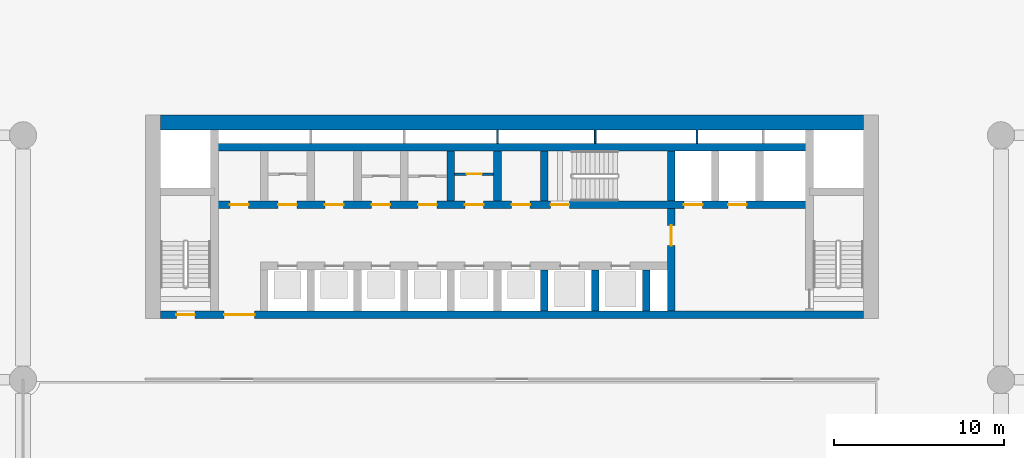
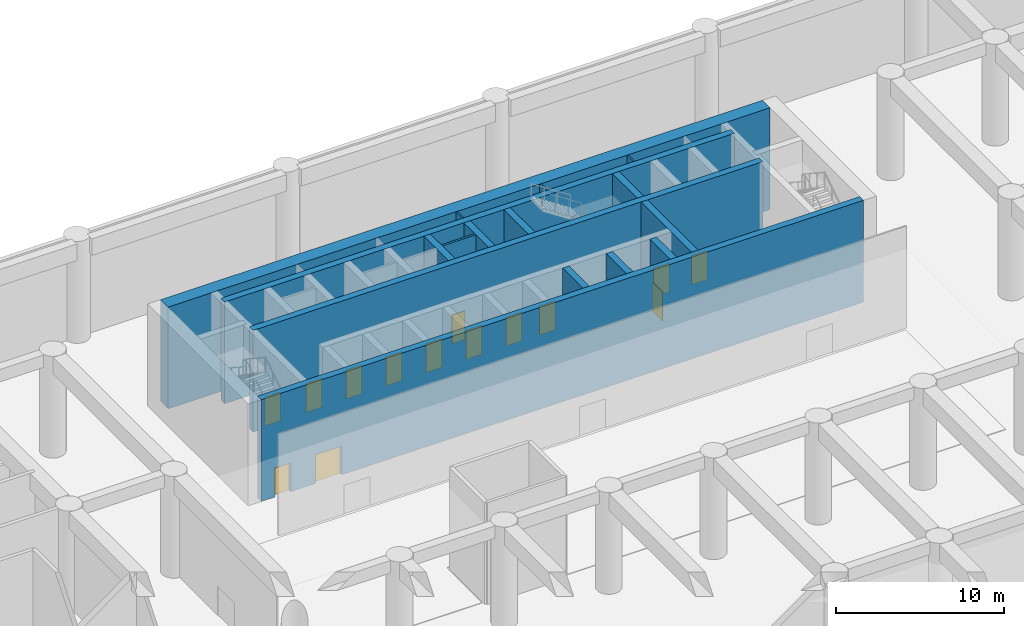
# One storey, part 18 of 32: 16 walls, 14 doors, 14 openings.
"""IFC4 building model written with IfcOpenShell, lengths in metres."""

from ifc_helpers import new_model, si_unit, direction, frame, frame_2d, origin, place, context, subcontext, project, spatial, rectangle, extrude, material, layer, layer_set, type_object, element, fill, save


model = new_model("IFC4")

# Units and contexts
model_context = context("Model", 3, precision=1e-05, world=origin(), true_north=direction((0.0, 1.0)))
body_context = subcontext(model_context, "Body", "Model", "MODEL_VIEW")
ifc_project = project(units=[si_unit("LENGTHUNIT", "METRE"), si_unit("AREAUNIT", "SQUARE_METRE"), si_unit("VOLUMEUNIT", "CUBIC_METRE"), si_unit("PLANEANGLEUNIT", "RADIAN"), si_unit("MASSUNIT", "GRAM", prefix="KILO")], contexts=[model_context])

# Site, building, storey
site_placement = place(None, origin())
site = spatial("IfcSite", under=ifc_project, at=site_placement, CompositionType="ELEMENT")
building_placement = place(site_placement, origin())
building = spatial("IfcBuilding", under=site, at=building_placement, Name="Saffron Iwan Residences", CompositionType="ELEMENT")
storey_placement = place(building_placement, origin())
storey = spatial("IfcBuildingStorey", under=building, at=storey_placement, Name="L00", CompositionType="ELEMENT", Elevation=0.0)

# Wall, opening, door
ifc_material_1 = material(Name="Fire-rated plasterboard partition")
ifc_layer_1 = layer(ifc_material_1, 0.14990234375)
ifc_layer_set_1 = layer_set([ifc_layer_1], Name="Fire-rated plasterboard partition")
wall_type_1 = type_object("IfcWallType", Name="Core partition 150", PredefinedType="PARTITIONING", material=ifc_layer_set_1)
wall_1_placement = place(storey_placement, frame((47.02490234375, 74.51806640625, 0.0), z_axis=(0.0, 0.0, 1.0), x_axis=(1.0, 0.0, 0.0)))
wall_1 = element("IfcWall", 1, at=wall_1_placement, inside=storey, type_object=wall_type_1, Name="Core partition P05", PredefinedType="PARTITIONING", context=body_context, shape_type="SweptSolid", body=[
    extrude(rectangle(XDim=2.300048828125, YDim=0.14990234375, at=frame_2d((1.14990234375, 0.0))), origin(), (0.0, 0.0, 1.0), 7.39990234375),
])
opening_1_placement = place(wall_1_placement, frame((0.699951171875, 0.0, 0.0)))
opening_1 = element("IfcOpeningElement", 2, at=opening_1_placement, cuts=wall_1, Name="Opening SB", PredefinedType="OPENING", context=body_context, shape_type="SweptSolid", body=[
    extrude(rectangle(XDim=0.89990234375, YDim=2.10009765625, at=frame_2d((0.449951171875, 1.050048828125))), frame((0.0, 0.0849609375, 0.0), z_axis=(0.0, -1.0, 0.0), x_axis=(1.0, 0.0, 0.0)), (0.0, 0.0, 1.0), 0.169921875),
])
ifc_material_2 = material(Name="Steel fire door", Category="steel")
door_type_1 = type_object("IfcDoorType", Name="Store door 900", OperationType="NOTDEFINED", PredefinedType="DOOR", material=ifc_material_2)
door_1_placement = place(opening_1_placement, origin())
door_1 = element("IfcDoor", 3, at=door_1_placement, inside=storey, type_object=door_type_1, Name="Door Equipment store", OperationType="SINGLE_SWING_RIGHT", OverallHeight=2.10009765625, OverallWidth=0.89990234375, PredefinedType="DOOR", context=body_context, shape_type="SweptSolid", body=[
    extrude(rectangle(XDim=0.89990234375, YDim=2.10009765625, at=frame_2d((0.449951171875, 1.050048828125))), frame((0.0, 0.02490234375, 0.0), z_axis=(0.0, -1.0, 0.0), x_axis=(1.0, 0.0, 0.0)), (0.0, 0.0, 1.0), 0.050048828125),
])
fill(opening_1, door_1)

# Walls
ifc_layer_2 = layer(ifc_material_1, 0.10009765625)
ifc_layer_set_2 = layer_set([ifc_layer_2], Name="Fire-rated plasterboard partition")
wall_type_2 = type_object("IfcWallType", Name="Riser partition 100", PredefinedType="PARTITIONING", material=ifc_layer_set_2)
for number, where, z_axis, x_axis, name in (
    (4, (49.550048828125, 76.324951171875, 0.0), (0.0, 0.0, 1.0), (0.0, 1.0, 0.0), "Core partition P08"),
    (5, (55.300048828125, 76.324951171875, 0.0), (0.0, 0.0, 1.0), (0.0, 1.0, 0.0), "Core partition P09"),
    (6, (61.300048828125, 76.324951171875, 0.0), (0.0, 0.0, 1.0), (0.0, 1.0, 0.0), "Core partition P10"),
):
    element("IfcWall", number, at=place(storey_placement, frame(where, z_axis=z_axis, x_axis=x_axis)), inside=storey, type_object=wall_type_2, Name=name, PredefinedType="PARTITIONING", context=body_context, shape_type="SweptSolid", body=[
        extrude(rectangle(XDim=0.775146484375, YDim=0.10009765625, at=frame_2d((0.3876953125, 0.0))), origin(), (0.0, 0.0, 1.0), 7.39990234375),
    ])

# Wall, openings, doors
ifc_material_3 = material(Name="Concrete C60/75", Category="concrete")
ifc_layer_3 = layer(ifc_material_3, 0.449951171875)
ifc_layer_set_3 = layer_set([ifc_layer_3], Name="Concrete C60/75")
wall_type_3 = type_object("IfcWallType", Name="WALL CORE 450 C60/75 7400 HIGH", PredefinedType="SHEAR", material=ifc_layer_set_3)
wall_2_placement = place(storey_placement, frame((29.699951171875, 66.22509765625, 0.0), z_axis=(0.0, 0.0, 1.0), x_axis=(1.0, 0.0, 0.0)))
wall_2 = element("IfcWall", 7, at=wall_2_placement, inside=storey, type_object=wall_type_3, Name="Core wall", PredefinedType="SHEAR", context=body_context, shape_type="SweptSolid", body=[
    extrude(rectangle(XDim=41.400146484375, YDim=0.449951171875, at=frame_2d((20.7001953125, 0.0))), origin(), (0.0, 0.0, 1.0), 7.39990234375),
])
opening_2_placement = place(wall_2_placement, frame((0.925048828125, 0.0, 0.0)))
opening_2 = element("IfcOpeningElement", 8, at=opening_2_placement, cuts=wall_2, Name="Opening SD", PredefinedType="OPENING", context=body_context, shape_type="SweptSolid", body=[
    extrude(rectangle(XDim=1.10009765625, YDim=2.10009765625, at=frame_2d((0.550048828125, 1.050048828125))), frame((0.0, 0.23486328125, 0.0), z_axis=(0.0, -1.0, 0.0), x_axis=(1.0, 0.0, 0.0)), (0.0, 0.0, 1.0), 0.469970703125),
])
opening_3_placement = place(wall_2_placement, frame((3.737548828125, 0.0, 0.0)))
opening_3 = element("IfcOpeningElement", 9, at=opening_3_placement, cuts=wall_2, Name="Opening DD", PredefinedType="OPENING", context=body_context, shape_type="SweptSolid", body=[
    extrude(rectangle(XDim=1.800048828125, YDim=2.10009765625, at=frame_2d((0.89990234375, 1.050048828125))), frame((0.0, 0.23486328125, 0.0), z_axis=(0.0, -1.0, 0.0), x_axis=(1.0, 0.0, 0.0)), (0.0, 0.0, 1.0), 0.469970703125),
])
door_type_2 = type_object("IfcDoorType", Name="Lobby double door 1800", OperationType="DOUBLE_DOOR_SINGLE_SWING", PredefinedType="DOOR", material=ifc_material_2)
door_2_placement = place(opening_3_placement, origin())
door_2 = element("IfcDoor", 10, at=door_2_placement, inside=storey, type_object=door_type_2, Name="Lobby doors", OperationType="DOUBLE_DOOR_SINGLE_SWING", OverallHeight=2.10009765625, OverallWidth=1.800048828125, PredefinedType="DOOR", context=body_context, shape_type="SweptSolid", body=[
    extrude(rectangle(XDim=1.800048828125, YDim=2.10009765625, at=frame_2d((0.89990234375, 1.050048828125))), frame((0.0, 0.02490234375, 0.0), z_axis=(0.0, -1.0, 0.0), x_axis=(1.0, 0.0, 0.0)), (0.0, 0.0, 1.0), 0.050048828125),
])
fill(opening_3, door_2)
door_type_3 = type_object("IfcDoorType", Name="Stair door 1100", OperationType="NOTDEFINED", PredefinedType="DOOR", material=ifc_material_2)
door_3_placement = place(opening_2_placement, origin())
door_3 = element("IfcDoor", 11, at=door_3_placement, inside=storey, type_object=door_type_3, Name="Stair door ST-W", OperationType="SINGLE_SWING_LEFT", OverallHeight=2.10009765625, OverallWidth=1.10009765625, PredefinedType="DOOR", context=body_context, shape_type="SweptSolid", body=[
    extrude(rectangle(XDim=1.10009765625, YDim=2.10009765625, at=frame_2d((0.550048828125, 1.050048828125))), frame((0.0, 0.02490234375, 0.0), z_axis=(0.0, -1.0, 0.0), x_axis=(1.0, 0.0, 0.0)), (0.0, 0.0, 1.0), 0.050048828125),
])
fill(opening_2, door_3)

wall_3_placement = place(storey_placement, frame((32.875, 72.699951171875, 0.0), z_axis=(0.0, 0.0, 1.0), x_axis=(1.0, 0.0, 0.0)))
wall_3 = element("IfcWall", 12, at=wall_3_placement, inside=storey, type_object=wall_type_3, Name="Core wall", PredefinedType="SHEAR", context=body_context, shape_type="SweptSolid", body=[
    extrude(rectangle(XDim=35.050048828125, YDim=0.449951171875, at=frame_2d((17.52490234375, 0.0))), origin(), (0.0, 0.0, 1.0), 7.39990234375),
])
opening_4_placement = place(wall_3_placement, frame((19.800048828125, 0.0, 0.0)))
opening_4 = element("IfcOpeningElement", 13, at=opening_4_placement, cuts=wall_3, Name="Opening SD", PredefinedType="OPENING", context=body_context, shape_type="SweptSolid", body=[
    extrude(rectangle(XDim=1.10009765625, YDim=2.10009765625, at=frame_2d((0.550048828125, 1.050048828125))), frame((0.0, 0.23486328125, 0.0), z_axis=(0.0, -1.0, 0.0), x_axis=(1.0, 0.0, 0.0)), (0.0, 0.0, 1.0), 0.469970703125),
])
opening_5_placement = place(wall_3_placement, frame((27.64990234375, 0.0, 0.0)))
opening_5 = element("IfcOpeningElement", 14, at=opening_5_placement, cuts=wall_3, Name="Opening LD", PredefinedType="OPENING", context=body_context, shape_type="SweptSolid", body=[
    extrude(rectangle(XDim=1.10009765625, YDim=2.10009765625, at=frame_2d((0.550048828125, 1.050048828125))), frame((0.0, 0.23486328125, 0.0), z_axis=(0.0, -1.0, 0.0), x_axis=(1.0, 0.0, 0.0)), (0.0, 0.0, 1.0), 0.469970703125),
])
opening_6_placement = place(wall_3_placement, frame((30.25, 0.0, 0.0)))
opening_6 = element("IfcOpeningElement", 15, at=opening_6_placement, cuts=wall_3, Name="Opening LD", PredefinedType="OPENING", context=body_context, shape_type="SweptSolid", body=[
    extrude(rectangle(XDim=1.10009765625, YDim=2.10009765625, at=frame_2d((0.550048828125, 1.050048828125))), frame((0.0, 0.23486328125, 0.0), z_axis=(0.0, -1.0, 0.0), x_axis=(1.0, 0.0, 0.0)), (0.0, 0.0, 1.0), 0.469970703125),
])
opening_7_placement = place(wall_3_placement, frame((3.75, 0.0, 0.0)))
opening_7 = element("IfcOpeningElement", 16, at=opening_7_placement, cuts=wall_3, Name="Opening SR", PredefinedType="OPENING", context=body_context, shape_type="SweptSolid", body=[
    extrude(rectangle(XDim=1.10009765625, YDim=2.10009765625, at=frame_2d((0.550048828125, 1.050048828125))), frame((0.0, 0.23486328125, 0.0), z_axis=(0.0, -1.0, 0.0), x_axis=(1.0, 0.0, 0.0)), (0.0, 0.0, 1.0), 0.469970703125),
])
opening_8_placement = place(wall_3_placement, frame((6.5, 0.0, 0.0)))
opening_8 = element("IfcOpeningElement", 17, at=opening_8_placement, cuts=wall_3, Name="Opening SR", PredefinedType="OPENING", context=body_context, shape_type="SweptSolid", body=[
    extrude(rectangle(XDim=1.10009765625, YDim=2.10009765625, at=frame_2d((0.550048828125, 1.050048828125))), frame((0.0, 0.23486328125, 0.0), z_axis=(0.0, -1.0, 0.0), x_axis=(1.0, 0.0, 0.0)), (0.0, 0.0, 1.0), 0.469970703125),
])
opening_9_placement = place(wall_3_placement, frame((9.25, 0.0, 0.0)))
opening_9 = element("IfcOpeningElement", 18, at=opening_9_placement, cuts=wall_3, Name="Opening SR", PredefinedType="OPENING", context=body_context, shape_type="SweptSolid", body=[
    extrude(rectangle(XDim=1.10009765625, YDim=2.10009765625, at=frame_2d((0.550048828125, 1.050048828125))), frame((0.0, 0.23486328125, 0.0), z_axis=(0.0, -1.0, 0.0), x_axis=(1.0, 0.0, 0.0)), (0.0, 0.0, 1.0), 0.469970703125),
])
opening_10_placement = place(wall_3_placement, frame((12.0, 0.0, 0.0)))
opening_10 = element("IfcOpeningElement", 19, at=opening_10_placement, cuts=wall_3, Name="Opening SR", PredefinedType="OPENING", context=body_context, shape_type="SweptSolid", body=[
    extrude(rectangle(XDim=1.10009765625, YDim=2.10009765625, at=frame_2d((0.550048828125, 1.050048828125))), frame((0.0, 0.23486328125, 0.0), z_axis=(0.0, -1.0, 0.0), x_axis=(1.0, 0.0, 0.0)), (0.0, 0.0, 1.0), 0.469970703125),
])
opening_11_placement = place(wall_3_placement, frame((14.75, 0.0, 0.0)))
opening_11 = element("IfcOpeningElement", 20, at=opening_11_placement, cuts=wall_3, Name="Opening SR", PredefinedType="OPENING", context=body_context, shape_type="SweptSolid", body=[
    extrude(rectangle(XDim=1.10009765625, YDim=2.10009765625, at=frame_2d((0.550048828125, 1.050048828125))), frame((0.0, 0.23486328125, 0.0), z_axis=(0.0, -1.0, 0.0), x_axis=(1.0, 0.0, 0.0)), (0.0, 0.0, 1.0), 0.469970703125),
])
opening_12_placement = place(wall_3_placement, frame((17.5, 0.0, 0.0)))
opening_12 = element("IfcOpeningElement", 21, at=opening_12_placement, cuts=wall_3, Name="Opening SR", PredefinedType="OPENING", context=body_context, shape_type="SweptSolid", body=[
    extrude(rectangle(XDim=1.10009765625, YDim=2.10009765625, at=frame_2d((0.550048828125, 1.050048828125))), frame((0.0, 0.23486328125, 0.0), z_axis=(0.0, -1.0, 0.0), x_axis=(1.0, 0.0, 0.0)), (0.0, 0.0, 1.0), 0.469970703125),
])
opening_13_placement = place(wall_3_placement, frame((0.91259765625, 0.0, 0.0)))
opening_13 = element("IfcOpeningElement", 22, at=opening_13_placement, cuts=wall_3, Name="Opening SR", PredefinedType="OPENING", context=body_context, shape_type="SweptSolid", body=[
    extrude(rectangle(XDim=1.10009765625, YDim=2.10009765625, at=frame_2d((0.550048828125, 1.050048828125))), frame((0.0, 0.23486328125, 0.0), z_axis=(0.0, -1.0, 0.0), x_axis=(1.0, 0.0, 0.0)), (0.0, 0.0, 1.0), 0.469970703125),
])
door_type_4 = type_object("IfcDoorType", Name="Lift landing door 1100", OperationType="SLIDING_TO_LEFT", PredefinedType="DOOR", material=ifc_material_2)
door_4_placement = place(opening_5_placement, origin())
door_4 = element("IfcDoor", 23, at=door_4_placement, inside=storey, type_object=door_type_4, Name="Landing doors FF1", OperationType="SLIDING_TO_LEFT", OverallHeight=2.10009765625, OverallWidth=1.10009765625, PredefinedType="DOOR", context=body_context, shape_type="SweptSolid", body=[
    extrude(rectangle(XDim=1.10009765625, YDim=2.10009765625, at=frame_2d((0.550048828125, 1.050048828125))), frame((0.0, 0.02490234375, 0.0), z_axis=(0.0, -1.0, 0.0), x_axis=(1.0, 0.0, 0.0)), (0.0, 0.0, 1.0), 0.050048828125),
])
fill(opening_5, door_4)
door_5_placement = place(opening_6_placement, origin())
door_5 = element("IfcDoor", 24, at=door_5_placement, inside=storey, type_object=door_type_4, Name="Landing doors FF2", OperationType="SLIDING_TO_LEFT", OverallHeight=2.10009765625, OverallWidth=1.10009765625, PredefinedType="DOOR", context=body_context, shape_type="SweptSolid", body=[
    extrude(rectangle(XDim=1.10009765625, YDim=2.10009765625, at=frame_2d((0.550048828125, 1.050048828125))), frame((0.0, 0.02490234375, 0.0), z_axis=(0.0, -1.0, 0.0), x_axis=(1.0, 0.0, 0.0)), (0.0, 0.0, 1.0), 0.050048828125),
])
fill(opening_6, door_5)
door_type_5 = type_object("IfcDoorType", Name="Service door 1100", OperationType="NOTDEFINED", PredefinedType="DOOR", material=ifc_material_2)
door_6_placement = place(opening_7_placement, origin())
door_6 = element("IfcDoor", 25, at=door_6_placement, inside=storey, type_object=door_type_5, Name="Door Electrical room", OperationType="SINGLE_SWING_LEFT", OverallHeight=2.10009765625, OverallWidth=1.10009765625, PredefinedType="DOOR", context=body_context, shape_type="SweptSolid", body=[
    extrude(rectangle(XDim=1.10009765625, YDim=2.10009765625, at=frame_2d((0.550048828125, 1.050048828125))), frame((0.0, 0.02490234375, 0.0), z_axis=(0.0, -1.0, 0.0), x_axis=(1.0, 0.0, 0.0)), (0.0, 0.0, 1.0), 0.050048828125),
])
fill(opening_7, door_6)
door_7_placement = place(opening_8_placement, origin())
door_7 = element("IfcDoor", 26, at=door_7_placement, inside=storey, type_object=door_type_5, Name="Door Luggage store", OperationType="SINGLE_SWING_LEFT", OverallHeight=2.10009765625, OverallWidth=1.10009765625, PredefinedType="DOOR", context=body_context, shape_type="SweptSolid", body=[
    extrude(rectangle(XDim=1.10009765625, YDim=2.10009765625, at=frame_2d((0.550048828125, 1.050048828125))), frame((0.0, 0.02490234375, 0.0), z_axis=(0.0, -1.0, 0.0), x_axis=(1.0, 0.0, 0.0)), (0.0, 0.0, 1.0), 0.050048828125),
])
fill(opening_8, door_7)
door_8_placement = place(opening_9_placement, origin())
door_8 = element("IfcDoor", 27, at=door_8_placement, inside=storey, type_object=door_type_5, Name="Door Refuse store", OperationType="SINGLE_SWING_LEFT", OverallHeight=2.10009765625, OverallWidth=1.10009765625, PredefinedType="DOOR", context=body_context, shape_type="SweptSolid", body=[
    extrude(rectangle(XDim=1.10009765625, YDim=2.10009765625, at=frame_2d((0.550048828125, 1.050048828125))), frame((0.0, 0.02490234375, 0.0), z_axis=(0.0, -1.0, 0.0), x_axis=(1.0, 0.0, 0.0)), (0.0, 0.0, 1.0), 0.050048828125),
])
fill(opening_9, door_8)
door_9_placement = place(opening_10_placement, origin())
door_9 = element("IfcDoor", 28, at=door_9_placement, inside=storey, type_object=door_type_5, Name="Door Maintenance store", OperationType="SINGLE_SWING_LEFT", OverallHeight=2.10009765625, OverallWidth=1.10009765625, PredefinedType="DOOR", context=body_context, shape_type="SweptSolid", body=[
    extrude(rectangle(XDim=1.10009765625, YDim=2.10009765625, at=frame_2d((0.550048828125, 1.050048828125))), frame((0.0, 0.02490234375, 0.0), z_axis=(0.0, -1.0, 0.0), x_axis=(1.0, 0.0, 0.0)), (0.0, 0.0, 1.0), 0.050048828125),
])
fill(opening_10, door_9)
door_10_placement = place(opening_11_placement, origin())
door_10 = element("IfcDoor", 29, at=door_10_placement, inside=storey, type_object=door_type_5, Name="Door Linen store", OperationType="SINGLE_SWING_LEFT", OverallHeight=2.10009765625, OverallWidth=1.10009765625, PredefinedType="DOOR", context=body_context, shape_type="SweptSolid", body=[
    extrude(rectangle(XDim=1.10009765625, YDim=2.10009765625, at=frame_2d((0.550048828125, 1.050048828125))), frame((0.0, 0.02490234375, 0.0), z_axis=(0.0, -1.0, 0.0), x_axis=(1.0, 0.0, 0.0)), (0.0, 0.0, 1.0), 0.050048828125),
])
fill(opening_11, door_10)
door_11_placement = place(opening_12_placement, origin())
door_11 = element("IfcDoor", 30, at=door_11_placement, inside=storey, type_object=door_type_5, Name="Door Pantry", OperationType="SINGLE_SWING_LEFT", OverallHeight=2.10009765625, OverallWidth=1.10009765625, PredefinedType="DOOR", context=body_context, shape_type="SweptSolid", body=[
    extrude(rectangle(XDim=1.10009765625, YDim=2.10009765625, at=frame_2d((0.550048828125, 1.050048828125))), frame((0.0, 0.02490234375, 0.0), z_axis=(0.0, -1.0, 0.0), x_axis=(1.0, 0.0, 0.0)), (0.0, 0.0, 1.0), 0.050048828125),
])
fill(opening_12, door_11)
door_12_placement = place(opening_13_placement, origin())
door_12 = element("IfcDoor", 31, at=door_12_placement, inside=storey, type_object=door_type_5, Name="Door Staff WC", OperationType="SINGLE_SWING_LEFT", OverallHeight=2.10009765625, OverallWidth=1.10009765625, PredefinedType="DOOR", context=body_context, shape_type="SweptSolid", body=[
    extrude(rectangle(XDim=1.10009765625, YDim=2.10009765625, at=frame_2d((0.550048828125, 1.050048828125))), frame((0.0, 0.02490234375, 0.0), z_axis=(0.0, -1.0, 0.0), x_axis=(1.0, 0.0, 0.0)), (0.0, 0.0, 1.0), 0.050048828125),
])
fill(opening_13, door_12)
door_13_placement = place(opening_4_placement, origin())
door_13 = element("IfcDoor", 32, at=door_13_placement, inside=storey, type_object=door_type_3, Name="Stair door ST-C", OperationType="SINGLE_SWING_LEFT", OverallHeight=2.10009765625, OverallWidth=1.10009765625, PredefinedType="DOOR", context=body_context, shape_type="SweptSolid", body=[
    extrude(rectangle(XDim=1.10009765625, YDim=2.10009765625, at=frame_2d((0.550048828125, 1.050048828125))), frame((0.0, 0.02490234375, 0.0), z_axis=(0.0, -1.0, 0.0), x_axis=(1.0, 0.0, 0.0)), (0.0, 0.0, 1.0), 0.050048828125),
])
fill(opening_4, door_13)

# Wall
wall_4_placement = place(storey_placement, frame((32.875, 76.10009765625, 0.0), z_axis=(0.0, 0.0, 1.0), x_axis=(1.0, 0.0, 0.0)))
element("IfcWall", 33, at=wall_4_placement, inside=storey, type_object=wall_type_3, Name="Core wall", PredefinedType="SHEAR", context=body_context, shape_type="SweptSolid", body=[
    extrude(rectangle(XDim=35.050048828125, YDim=0.449951171875, at=frame_2d((17.52490234375, 0.0))), origin(), (0.0, 0.0, 1.0), 7.39990234375),
])

# Wall, opening, door
wall_5_placement = place(storey_placement, frame((59.77490234375, 66.449951171875, 0.0), z_axis=(0.0, 0.0, 1.0), x_axis=(0.0, 1.0, 0.0)))
wall_5 = element("IfcWall", 34, at=wall_5_placement, inside=storey, type_object=wall_type_3, Name="Core wall", PredefinedType="SHEAR", context=body_context, shape_type="SweptSolid", body=[
    extrude(rectangle(XDim=6.025146484375, YDim=0.449951171875, at=frame_2d((3.0126953125, 0.0))), origin(), (0.0, 0.0, 1.0), 7.39990234375),
])
opening_14_placement = place(wall_5_placement, frame((3.85009765625, 0.0, 0.0)))
opening_14 = element("IfcOpeningElement", 35, at=opening_14_placement, cuts=wall_5, Name="Opening FD", PredefinedType="OPENING", context=body_context, shape_type="SweptSolid", body=[
    extrude(rectangle(XDim=1.199951171875, YDim=2.10009765625, at=frame_2d((0.60009765625, 1.050048828125))), frame((0.0, 0.23486328125, 0.0), z_axis=(0.0, -1.0, 0.0), x_axis=(1.0, 0.0, 0.0)), (0.0, 0.0, 1.0), 0.469970703125),
])
door_type_6 = type_object("IfcDoorType", Name="Firefighting lobby door 1200", OperationType="NOTDEFINED", PredefinedType="DOOR", material=ifc_material_2)
door_14_placement = place(opening_14_placement, origin())
door_14 = element("IfcDoor", 36, at=door_14_placement, inside=storey, type_object=door_type_6, Name="Firefighting lobby door", OperationType="SINGLE_SWING_RIGHT", OverallHeight=2.10009765625, OverallWidth=1.199951171875, PredefinedType="DOOR", context=body_context, shape_type="SweptSolid", body=[
    extrude(rectangle(XDim=1.199951171875, YDim=2.10009765625, at=frame_2d((0.60009765625, 1.050048828125))), frame((0.0, 0.02490234375, 0.0), z_axis=(0.0, -1.0, 0.0), x_axis=(1.0, 0.0, 0.0)), (0.0, 0.0, 1.0), 0.050048828125),
])
fill(opening_14, door_14)

# Walls
wall_6_placement = place(storey_placement, frame((59.77490234375, 72.925048828125, 0.0), z_axis=(0.0, 0.0, 1.0), x_axis=(0.0, 1.0, 0.0)))
element("IfcWall", 37, at=wall_6_placement, inside=storey, type_object=wall_type_3, Name="Core wall", PredefinedType="SHEAR", context=body_context, shape_type="SweptSolid", body=[
    extrude(rectangle(XDim=2.949951171875, YDim=0.449951171875, at=frame_2d((1.47509765625, 0.0))), origin(), (0.0, 0.0, 1.0), 7.39990234375),
])
for number, where, z_axis, x_axis, name in (
    (38, (52.300048828125, 66.449951171875, 0.0), (0.0, 0.0, 1.0), (0.0, 1.0, 0.0), "Core wall"),
    (39, (55.300048828125, 66.449951171875, 0.0), (0.0, 0.0, 1.0), (0.0, 1.0, 0.0), "Core wall"),
    (40, (58.300048828125, 66.449951171875, 0.0), (0.0, 0.0, 1.0), (0.0, 1.0, 0.0), "Core wall"),
):
    element("IfcWall", number, at=place(storey_placement, frame(where, z_axis=z_axis, x_axis=x_axis)), inside=storey, type_object=wall_type_3, Name=name, PredefinedType="SHEAR", context=body_context, shape_type="SweptSolid", body=[
        extrude(rectangle(XDim=2.425048828125, YDim=0.449951171875, at=frame_2d((1.21240234375, 0.0))), origin(), (0.0, 0.0, 1.0), 7.39990234375),
    ])
for number, where, z_axis, x_axis, name in (
    (41, (46.800048828125, 72.925048828125, 0.0), (0.0, 0.0, 1.0), (0.0, 1.0, 0.0), "Core wall"),
    (42, (49.550048828125, 72.925048828125, 0.0), (0.0, 0.0, 1.0), (0.0, 1.0, 0.0), "Core wall"),
    (43, (52.300048828125, 72.925048828125, 0.0), (0.0, 0.0, 1.0), (0.0, 1.0, 0.0), "Core wall"),
):
    element("IfcWall", number, at=place(storey_placement, frame(where, z_axis=z_axis, x_axis=x_axis)), inside=storey, type_object=wall_type_3, Name=name, PredefinedType="SHEAR", context=body_context, shape_type="SweptSolid", body=[
        extrude(rectangle(XDim=2.949951171875, YDim=0.449951171875, at=frame_2d((1.47509765625, 0.0))), origin(), (0.0, 0.0, 1.0), 7.39990234375),
    ])
ifc_layer_4 = layer(ifc_material_3, 0.89990234375)
ifc_layer_set_4 = layer_set([ifc_layer_4], Name="Concrete C60/75")
wall_type_4 = type_object("IfcWallType", Name="WALL CORE 900 C60/75 7400 HIGH", PredefinedType="SHEAR", material=ifc_layer_set_4)
wall_7_placement = place(storey_placement, frame((29.699951171875, 77.550048828125, 0.0), z_axis=(0.0, 0.0, 1.0), x_axis=(1.0, 0.0, 0.0)))
element("IfcWall", 44, at=wall_7_placement, inside=storey, type_object=wall_type_4, Name="Core wall", PredefinedType="SHEAR", context=body_context, shape_type="SweptSolid", body=[
    extrude(rectangle(XDim=41.400146484375, YDim=0.89990234375, at=frame_2d((20.7001953125, 0.0))), origin(), (0.0, 0.0, 1.0), 7.39990234375),
])

save(model, "model.ifc")
